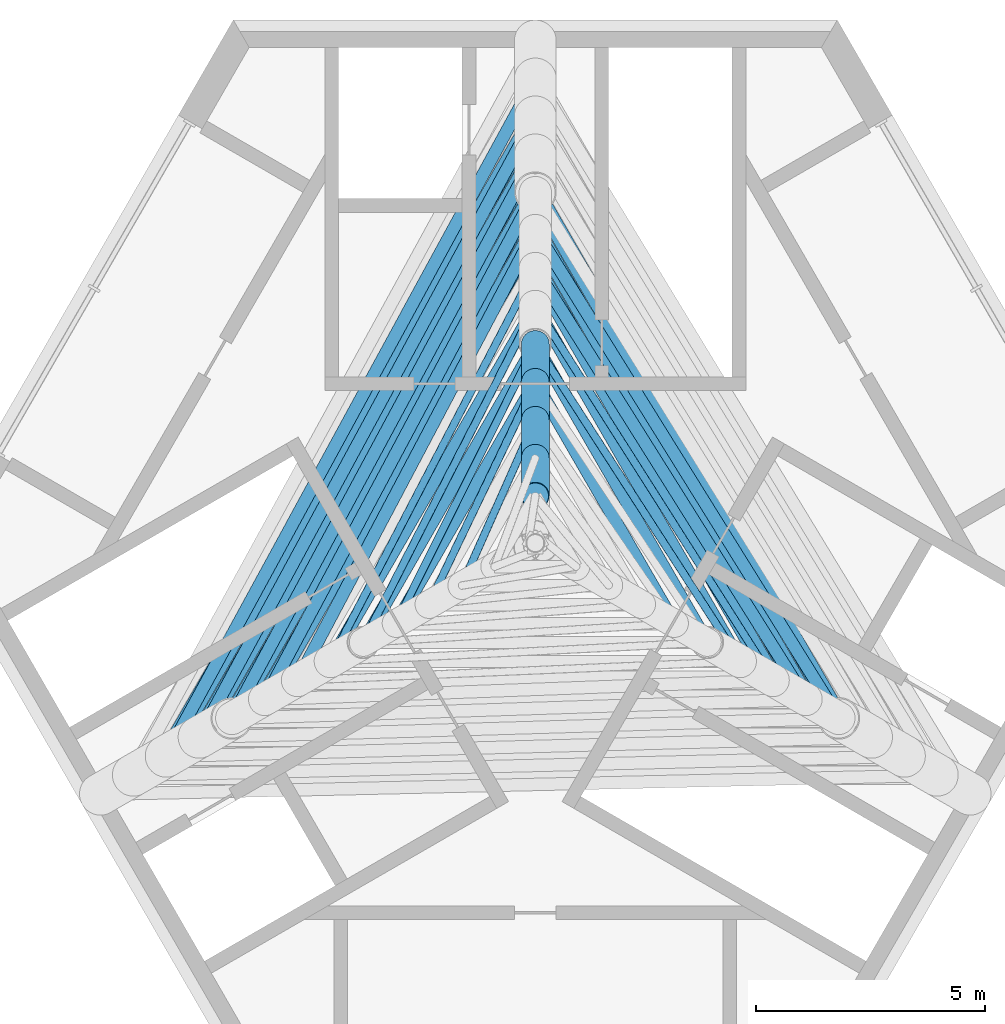
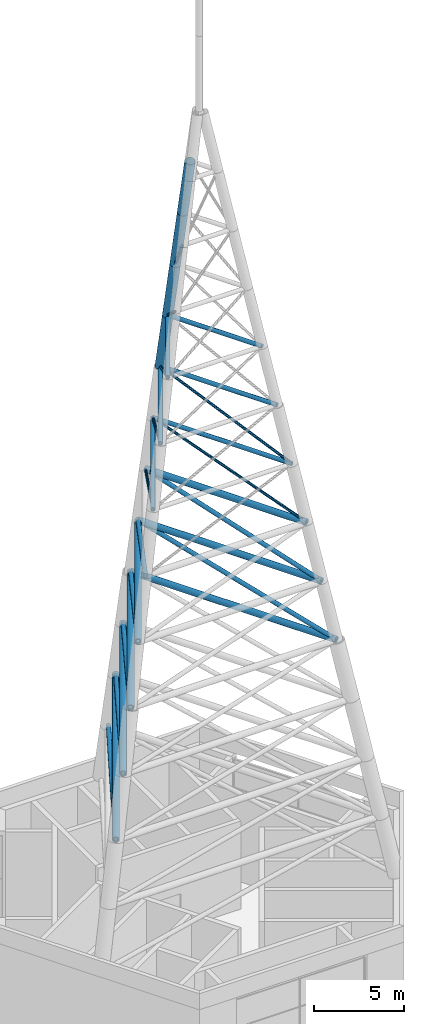
# One storey, part 4 of 10: 31 members.
"""IFC4 building model written with IfcOpenShell, lengths in metres."""

from ifc_helpers import new_model, si_unit, direction, frame, origin, origin_2d, place, context, subcontext, project, spatial, hollow_circle, extrude, material, material_profile, profile_set, type_object, element, save


model = new_model("IFC4")

# Units and contexts
model_context = context("Model", 3, precision=1e-05, world=origin(), true_north=direction((0.0, 1.0)))
body_context = subcontext(model_context, "Body", "Model", "MODEL_VIEW")
ifc_project = project(units=[si_unit("LENGTHUNIT", "METRE"), si_unit("AREAUNIT", "SQUARE_METRE"), si_unit("VOLUMEUNIT", "CUBIC_METRE"), si_unit("PLANEANGLEUNIT", "RADIAN"), si_unit("MASSUNIT", "GRAM", prefix="KILO")], contexts=[model_context])

# Site, building, storey
site_placement = place(None, origin())
site = spatial("IfcSite", under=ifc_project, at=site_placement, CompositionType="ELEMENT")
building_placement = place(site_placement, origin())
building = spatial("IfcBuilding", under=site, at=building_placement, Name="Impinga Residences", CompositionType="ELEMENT")
storey_placement = place(building_placement, frame((0.0, 0.0, 301.75)))
storey = spatial("IfcBuildingStorey", under=building, at=storey_placement, Name="L75", CompositionType="ELEMENT", Elevation=301.75)

# Members
ifc_material = material(Name="Steel S355J2H", Category="steel")
ifc_material_profile_1 = material_profile(ifc_material, hollow_circle(Radius=0.304931640625, WallThickness=0.01611328125, at=origin_2d()), Name="CHS 610x16")
ifc_profile_set_1 = profile_set([ifc_material_profile_1], Name="Steel S355J2H")
member_type_1 = type_object("IfcMemberType", Name="SP3 SPIRE CHS 610x16", PredefinedType="MEMBER", material=ifc_profile_set_1)
for number, where, z_axis, x_axis, name in (
    (1, (0.0, 4.3466796875, 38.0), (0.0, -0.203018619263, 0.979174877247), (1.0, 0.0, 0.0), "SPIRE leg N panel 9"),
    (2, (0.0, 3.517333984375, 42.0), (0.0, -0.203018619263, 0.979174877247), (1.0, 0.0, 0.0), "SPIRE leg N panel 10"),
    (3, (0.0, 2.68798828125, 46.0), (0.0, -0.203018619263, 0.979174877247), (1.0, 0.0, 0.0), "SPIRE leg N panel 11"),
    (4, (0.0, 1.858642578125, 50.0), (0.0, -0.203018619263, 0.979174877247), (1.0, 0.0, 0.0), "SPIRE leg N panel 12"),
):
    element("IfcMember", number, at=place(storey_placement, frame(where, z_axis=z_axis, x_axis=x_axis)), inside=storey, type_object=member_type_1, Name=name, PredefinedType="MEMBER", context=body_context, shape_type="SweptSolid", body=[
        extrude(hollow_circle(Radius=0.304931640625, WallThickness=0.01611328125, at=origin_2d()), origin(), (0.0, 0.0, 1.0), 4.0849609375),
    ])
ifc_material_profile_2 = material_profile(ifc_material, hollow_circle(Radius=0.203125, WallThickness=0.012451171875, at=origin_2d()), Name="CHS 406.4x12.5")
ifc_profile_set_2 = profile_set([ifc_material_profile_2], Name="Steel S355J2H")
member_type_2 = type_object("IfcMemberType", Name="SP4 SPIRE CHS 406.4x12.5", PredefinedType="MEMBER", material=ifc_profile_set_2)
member_1_placement = place(storey_placement, frame((0.0, 9.32275390625, 14.0), z_axis=(-0.499999477598, -0.866025705393, 0.0), x_axis=(0.866025705393, -0.499999477598, 0.0)))
element("IfcMember", 5, at=member_1_placement, inside=storey, type_object=member_type_2, Name="SPIRE ring N-W panel 2", PredefinedType="MEMBER", context=body_context, shape_type="SweptSolid", body=[
    extrude(hollow_circle(Radius=0.203125, WallThickness=0.012451171875, at=origin_2d()), origin(), (0.0, 0.0, 1.0), 16.1474609375),
])
member_2_placement = place(storey_placement, frame((0.0, 8.493408203125, 18.0), z_axis=(-0.499994443168, -0.866028611999, 0.0), x_axis=(0.866028611999, -0.499994443168, 0.0)))
element("IfcMember", 6, at=member_2_placement, inside=storey, type_object=member_type_2, Name="SPIRE ring N-W panel 3", PredefinedType="MEMBER", context=body_context, shape_type="SweptSolid", body=[
    extrude(hollow_circle(Radius=0.203125, WallThickness=0.012451171875, at=origin_2d()), origin(), (0.0, 0.0, 1.0), 14.711181640625),
])
for number, where, z_axis, x_axis, name in (
    (7, (0.0, 7.6640625, 22.0), (-0.500010076553, -0.866019586006, 0.0), (0.866019586006, -0.500010076553, 0.0), "SPIRE ring N-W panel 4"),
    (8, (6.637451171875, -3.83203125, 22.0), (-0.500010076553, 0.866019586006, 0.0), (-0.866019586006, -0.500010076553, 0.0), "SPIRE ring E-N panel 4"),
):
    element("IfcMember", number, at=place(storey_placement, frame(where, z_axis=z_axis, x_axis=x_axis)), inside=storey, type_object=member_type_2, Name=name, PredefinedType="MEMBER", context=body_context, shape_type="SweptSolid", body=[
        extrude(hollow_circle(Radius=0.203125, WallThickness=0.012451171875, at=origin_2d()), origin(), (0.0, 0.0, 1.0), 13.274658203125),
    ])
for number, where, z_axis, x_axis, name in (
    (9, (0.0, 6.834716796875, 26.0), (-0.500005106446, -0.866022455557, 0.0), (0.866022455557, -0.500005106446, 0.0), "SPIRE ring N-W panel 5"),
    (10, (5.919189453125, -3.41748046875, 26.0), (-0.500005106446, 0.866022455557, 0.0), (-0.866022455557, -0.500005106446, 0.0), "SPIRE ring E-N panel 5"),
):
    element("IfcMember", number, at=place(storey_placement, frame(where, z_axis=z_axis, x_axis=x_axis)), inside=storey, type_object=member_type_2, Name=name, PredefinedType="MEMBER", context=body_context, shape_type="SweptSolid", body=[
        extrude(hollow_circle(Radius=0.203125, WallThickness=0.012451171875, at=origin_2d()), origin(), (0.0, 0.0, 1.0), 11.83837890625),
    ])
member_3_placement = place(storey_placement, frame((5.200927734375, -3.002685546875, 30.0), z_axis=(-0.500008927004, 0.866020249715, 0.0), x_axis=(-0.866020249715, -0.500008927004, 0.0)))
element("IfcMember", 11, at=member_3_placement, inside=storey, type_object=member_type_2, Name="SPIRE ring E-N panel 6", PredefinedType="MEMBER", context=body_context, shape_type="SweptSolid", body=[
    extrude(hollow_circle(Radius=0.203125, WallThickness=0.012451171875, at=origin_2d()), origin(), (0.0, 0.0, 1.0), 10.401611328125),
])
ifc_material_profile_3 = material_profile(ifc_material, hollow_circle(Radius=0.136474609375, WallThickness=0.010009765625, at=origin_2d()), Name="CHS 273x10")
ifc_profile_set_3 = profile_set([ifc_material_profile_3], Name="Steel S355J2H")
member_type_3 = type_object("IfcMemberType", Name="SP5 SPIRE CHS 273x10", PredefinedType="BRACE", material=ifc_profile_set_3)
member_4_placement = place(storey_placement, frame((0.0, 10.152099609375, 10.0), z_axis=(-0.465652854534, -0.85436808593, 0.230700222821), x_axis=(0.878053694167, -0.478562127795, 0.0)))
element("IfcMember", 12, at=member_4_placement, inside=storey, type_object=member_type_3, Name="SPIRE diagonal N-W panel 2", PredefinedType="BRACE", context=body_context, shape_type="SweptSolid", body=[
    extrude(hollow_circle(Radius=0.136474609375, WallThickness=0.010009765625, at=origin_2d()), origin(), (0.0, 0.0, 1.0), 17.338623046875),
])
member_5_placement = place(storey_placement, frame((0.0, 9.32275390625, 14.0), z_axis=(-0.461308512872, -0.851035198284, 0.250865595954), x_axis=(0.87914867816, -0.476547585966, 0.0)))
element("IfcMember", 13, at=member_5_placement, inside=storey, type_object=member_type_3, Name="SPIRE diagonal N-W panel 3", PredefinedType="BRACE", context=body_context, shape_type="SweptSolid", body=[
    extrude(hollow_circle(Radius=0.136474609375, WallThickness=0.010009765625, at=origin_2d()), origin(), (0.0, 0.0, 1.0), 15.94482421875),
])
member_6_placement = place(storey_placement, frame((0.0, 8.493408203125, 18.0), z_axis=(-0.455891893121, -0.846570133675, 0.274739131824), x_axis=(0.880450939297, -0.474137262289, 0.0)))
element("IfcMember", 14, at=member_6_placement, inside=storey, type_object=member_type_3, Name="SPIRE diagonal N-W panel 4", PredefinedType="BRACE", context=body_context, shape_type="SweptSolid", body=[
    extrude(hollow_circle(Radius=0.136474609375, WallThickness=0.010009765625, at=origin_2d()), origin(), (0.0, 0.0, 1.0), 14.559326171875),
])
member_7_placement = place(storey_placement, frame((0.0, 7.6640625, 22.0), z_axis=(-0.448942410027, -0.840482408378, 0.303381004161), x_axis=(0.882054211443, -0.471147925896, 0.0)))
element("IfcMember", 15, at=member_7_placement, inside=storey, type_object=member_type_3, Name="SPIRE diagonal N-W panel 5", PredefinedType="BRACE", context=body_context, shape_type="SweptSolid", body=[
    extrude(hollow_circle(Radius=0.136474609375, WallThickness=0.010009765625, at=origin_2d()), origin(), (0.0, 0.0, 1.0), 13.184814453125),
])
member_8_placement = place(storey_placement, frame((6.637451171875, -3.83203125, 22.0), z_axis=(-0.503422229362, 0.809027131462, 0.303382859671), x_axis=(-0.849043625178, -0.528322744678, 0.0)))
element("IfcMember", 16, at=member_8_placement, inside=storey, type_object=member_type_3, Name="SPIRE diagonal E-N panel 5", PredefinedType="BRACE", context=body_context, shape_type="SweptSolid", body=[
    extrude(hollow_circle(Radius=0.136474609375, WallThickness=0.010009765625, at=origin_2d()), origin(), (0.0, 0.0, 1.0), 13.1845703125),
])
member_9_placement = place(storey_placement, frame((0.0, 6.834716796875, 26.0), z_axis=(-0.439834964067, -0.831934940718, 0.338274236083), x_axis=(0.884051945416, -0.467388658192, 0.0)))
element("IfcMember", 17, at=member_9_placement, inside=storey, type_object=member_type_3, Name="SPIRE diagonal N-W panel 6", PredefinedType="BRACE", context=body_context, shape_type="SweptSolid", body=[
    extrude(hollow_circle(Radius=0.136474609375, WallThickness=0.010009765625, at=origin_2d()), origin(), (0.0, 0.0, 1.0), 11.82470703125),
])
member_10_placement = place(storey_placement, frame((5.919189453125, -3.41748046875, 26.0), z_axis=(-0.500572308515, 0.796868996472, 0.338270847709), x_axis=(-0.846788180535, -0.531930237255, 0.0)))
element("IfcMember", 18, at=member_10_placement, inside=storey, type_object=member_type_3, Name="SPIRE diagonal E-N panel 6", PredefinedType="BRACE", context=body_context, shape_type="SweptSolid", body=[
    extrude(hollow_circle(Radius=0.136474609375, WallThickness=0.010009765625, at=origin_2d()), origin(), (0.0, 0.0, 1.0), 11.824951171875),
])
for number, where, z_axis, x_axis, name in (
    (19, (0.0, 5.176025390625, 34.0), (-0.500002180021, -0.866024145145, 0.0), (0.866024145145, -0.500002180021, 0.0), "SPIRE ring N-W panel 7"),
    (20, (4.482666015625, -2.588134765625, 34.0), (-0.500002180021, 0.866024145145, 0.0), (-0.866024145145, -0.500002180021, 0.0), "SPIRE ring E-N panel 7"),
):
    element("IfcMember", number, at=place(storey_placement, frame(where, z_axis=z_axis, x_axis=x_axis)), inside=storey, type_object=member_type_3, Name=name, PredefinedType="BRACE", context=body_context, shape_type="SweptSolid", body=[
        extrude(hollow_circle(Radius=0.136474609375, WallThickness=0.010009765625, at=origin_2d()), origin(), (0.0, 0.0, 1.0), 8.96533203125),
    ])
for number, where, z_axis, x_axis, name in (
    (21, (0.0, 4.3466796875, 38.0), (-0.500006900114, -0.866021419965, 0.0), (0.866021419965, -0.500006900114, 0.0), "SPIRE ring N-W panel 8"),
    (22, (3.764404296875, -2.17333984375, 38.0), (-0.500006900114, 0.866021419965, 0.0), (-0.866021419965, -0.500006900114, 0.0), "SPIRE ring E-N panel 8"),
):
    element("IfcMember", number, at=place(storey_placement, frame(where, z_axis=z_axis, x_axis=x_axis)), inside=storey, type_object=member_type_3, Name=name, PredefinedType="BRACE", context=body_context, shape_type="SweptSolid", body=[
        extrude(hollow_circle(Radius=0.136474609375, WallThickness=0.010009765625, at=origin_2d()), origin(), (0.0, 0.0, 1.0), 7.52880859375),
    ])
for number, where, z_axis, x_axis, name in (
    (23, (0.0, 3.517333984375, 42.0), (-0.499996493545, -0.866027428228, 0.0), (0.866027428228, -0.499996493545, 0.0), "SPIRE ring N-W panel 9"),
    (24, (3.046142578125, -1.7587890625, 42.0), (-0.499996493545, 0.866027428228, 0.0), (-0.866027428228, -0.499996493545, 0.0), "SPIRE ring E-N panel 9"),
):
    element("IfcMember", number, at=place(storey_placement, frame(where, z_axis=z_axis, x_axis=x_axis)), inside=storey, type_object=member_type_3, Name=name, PredefinedType="BRACE", context=body_context, shape_type="SweptSolid", body=[
        extrude(hollow_circle(Radius=0.136474609375, WallThickness=0.010009765625, at=origin_2d()), origin(), (0.0, 0.0, 1.0), 6.09228515625),
    ])
ifc_material_profile_4 = material_profile(ifc_material, hollow_circle(Radius=0.084228515625, WallThickness=0.008056640625, at=origin_2d()), Name="CHS 168.3x8")
ifc_profile_set_4 = profile_set([ifc_material_profile_4], Name="Steel S355J2H")
member_type_4 = type_object("IfcMemberType", Name="SP6 SPIRE CHS 168.3x8", PredefinedType="BRACE", material=ifc_profile_set_4)
for number, where, z_axis, x_axis, name in (
    (25, (0.0, 6.00537109375, 30.0), (-0.427516919191, -0.819572356549, 0.381484516313), (0.886623019442, -0.462492833886, 0.0), "SPIRE diagonal N-W panel 7"),
    (26, (5.200927734375, -3.002685546875, 30.0), (-0.4960221303, 0.780018840775, 0.3814874235), (-0.843834655889, -0.536603273863, 0.0), "SPIRE diagonal E-N panel 7"),
):
    element("IfcMember", number, at=place(storey_placement, frame(where, z_axis=z_axis, x_axis=x_axis)), inside=storey, type_object=member_type_4, Name=name, PredefinedType="BRACE", context=body_context, shape_type="SweptSolid", body=[
        extrude(hollow_circle(Radius=0.084228515625, WallThickness=0.008056640625, at=origin_2d()), origin(), (0.0, 0.0, 1.0), 10.4853515625),
    ])
for number, where, z_axis, x_axis, name in (
    (27, (0.0, 5.176025390625, 34.0), (-0.410281293783, -0.801005109719, 0.435958798712), (0.890038683226, -0.455885010021, 0.0), "SPIRE diagonal N-W panel 8"),
    (28, (4.482666015625, -2.588134765625, 34.0), (-0.488558511865, 0.755814200181, 0.43595352423), (-0.839822315129, -0.542861381028, 0.0), "SPIRE diagonal E-N panel 8"),
):
    element("IfcMember", number, at=place(storey_placement, frame(where, z_axis=z_axis, x_axis=x_axis)), inside=storey, type_object=member_type_4, Name=name, PredefinedType="BRACE", context=body_context, shape_type="SweptSolid", body=[
        extrude(hollow_circle(Radius=0.084228515625, WallThickness=0.008056640625, at=origin_2d()), origin(), (0.0, 0.0, 1.0), 9.17529296875),
    ])
member_11_placement = place(storey_placement, frame((0.0, 4.3466796875, 38.0), z_axis=(-0.385138263146, -0.77194339062, 0.505738984002), x_axis=(0.894813292765, -0.446440557175, 0.0)))
element("IfcMember", 29, at=member_11_placement, inside=storey, type_object=member_type_4, Name="SPIRE diagonal N-W panel 9", PredefinedType="BRACE", context=body_context, shape_type="SweptSolid", body=[
    extrude(hollow_circle(Radius=0.084228515625, WallThickness=0.008056640625, at=origin_2d()), origin(), (0.0, 0.0, 1.0), 7.9091796875),
])
member_12_placement = place(storey_placement, frame((0.0, 3.517333984375, 42.0), z_axis=(-0.346821431763, -0.724269360175, 0.595943611747), x_axis=(0.901924850116, -0.431893001499, 0.0)))
element("IfcMember", 30, at=member_12_placement, inside=storey, type_object=member_type_4, Name="SPIRE diagonal N-W panel 10", PredefinedType="BRACE", context=body_context, shape_type="SweptSolid", body=[
    extrude(hollow_circle(Radius=0.084228515625, WallThickness=0.008056640625, at=origin_2d()), origin(), (0.0, 0.0, 1.0), 6.712158203125),
])
member_13_placement = place(storey_placement, frame((0.0, 2.68798828125, 46.0), z_axis=(-0.285991589651, -0.642732805076, 0.71070623462), x_axis=(0.913636014604, -0.406533187844, 0.0)))
element("IfcMember", 31, at=member_13_placement, inside=storey, type_object=member_type_4, Name="SPIRE diagonal N-W panel 11", PredefinedType="BRACE", context=body_context, shape_type="SweptSolid", body=[
    extrude(hollow_circle(Radius=0.084228515625, WallThickness=0.008056640625, at=origin_2d()), origin(), (0.0, 0.0, 1.0), 5.628173828125),
])

save(model, "model.ifc")
